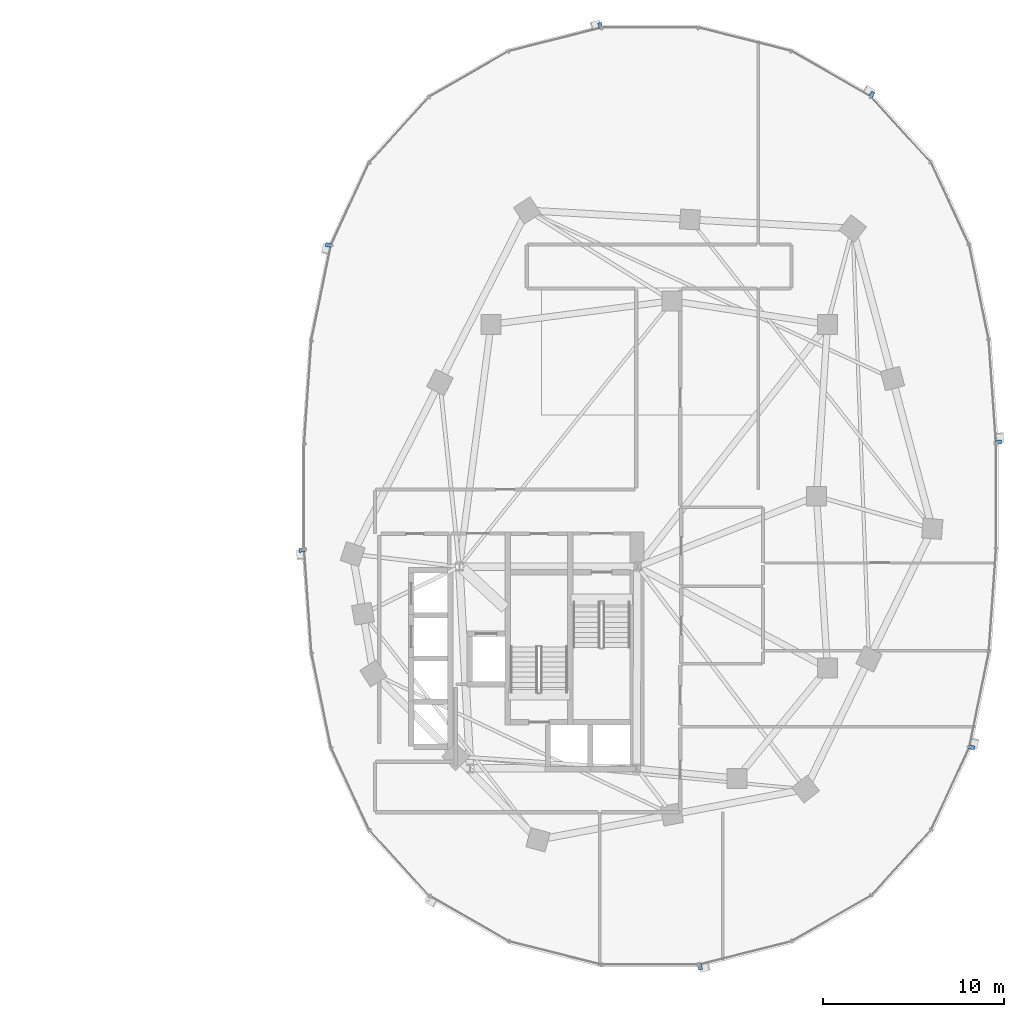
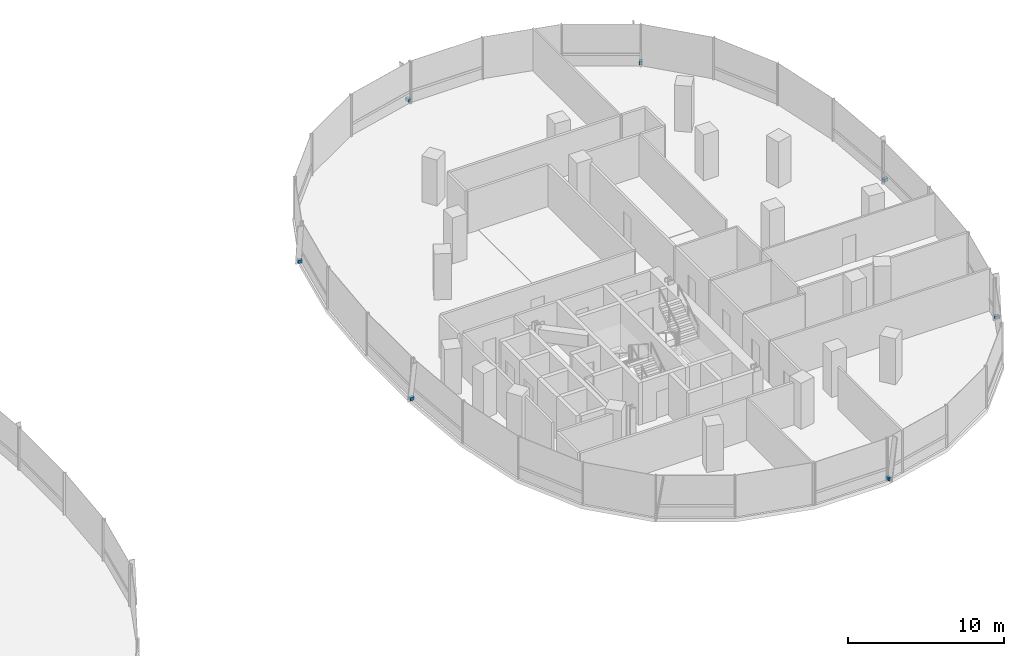
# One storey, part 16 of 21: 7 discrete accessories.
"""IFC4 building model written with IfcOpenShell, lengths in metres."""

import ifcopenshell
import ifcopenshell.guid

model = None  # the IFC model being written
_history = None  # IfcOwnerHistory: only IFC2X3 demands one
_inside = {}  # id of a spatial element -> (the spatial element, [elements in it])
_under = {}  # id of a project, library or spatial element -> (it, [spatial elements below it])
_declared = {}  # id of a project -> (the project, [libraries it declares])
_typed = {}  # id of a type object -> (the type object, [elements of that type])
_made_of = {}  # id of a material, layer set ... -> (it, [elements and type objects made of it])


def new_model(schema):
    """Start an empty IFC model of exactly this schema.

    Asked for "IFC4X3", IfcOpenShell would pick the latest addendum, in which some entities
    have other attributes; the version numbers below select the first issue.
    IFC2X3 requires an IfcOwnerHistory on every rooted entity: one is made here for all.
    """
    global model, _history
    if schema == "IFC4X3":
        model = ifcopenshell.file(schema_version=(4, 3, 0, 0))
    else:
        model = ifcopenshell.file(schema=schema)
    _inside.clear()
    _under.clear()
    _declared.clear()
    _typed.clear()
    _made_of.clear()
    _history = None
    if model.schema == "IFC2X3":
        org = make("IfcOrganization", Name="unknown")
        user = make(
            "IfcPersonAndOrganization",
            ThePerson=make("IfcPerson", FamilyName="unknown"),
            TheOrganization=org,
        )
        app = make(
            "IfcApplication",
            ApplicationDeveloper=org,
            Version="unknown",
            ApplicationFullName="unknown",
            ApplicationIdentifier="unknown",
        )
        _history = make(
            "IfcOwnerHistory",
            OwningUser=user,
            OwningApplication=app,
            ChangeAction="ADDED",
            CreationDate=0,
        )
    return model


def make(cls, **values):
    """One entity of the class cls with the attributes given. An attribute that is None is left unset."""
    return model.create_entity(
        cls, **{name: value for name, value in values.items() if value is not None}
    )


def rooted(cls, **values):
    """An entity with a GlobalId (a new one), such as an element, a storey or a relation."""
    return make(cls, GlobalId=ifcopenshell.guid.new(), OwnerHistory=_history, **values)


def si_unit(unit_type, name, prefix=None):
    """IfcSIUnit, for example si_unit("LENGTHUNIT", "METRE", prefix="MILLI")."""
    return make("IfcSIUnit", UnitType=unit_type, Prefix=prefix, Name=name)


def assignment(units):
    """IfcUnitAssignment: the units of a project."""
    return None if units is None else make("IfcUnitAssignment", Units=units)


def point(xyz):
    """IfcCartesianPoint."""
    return None if xyz is None else make("IfcCartesianPoint", Coordinates=xyz)


def direction(xyz):
    """IfcDirection."""
    return None if xyz is None else make("IfcDirection", DirectionRatios=xyz)


def frame(location, z_axis=None, x_axis=None):
    """IfcAxis2Placement3D, a coordinate frame: its origin and axes. An axis left out is left unset."""
    return make(
        "IfcAxis2Placement3D",
        Location=point(location),
        Axis=direction(z_axis),
        RefDirection=direction(x_axis),
    )


def frame_2d(location, x_axis=None):
    """IfcAxis2Placement2D, a coordinate frame in the plane: its origin and x axis."""
    return make(
        "IfcAxis2Placement2D", Location=point(location), RefDirection=direction(x_axis)
    )


def origin():
    """The frame at (0, 0, 0) with its axes left unset."""
    return frame((0.0, 0.0, 0.0))


def origin_2d():
    """The frame at (0, 0) in the plane with its x axis left unset."""
    return frame_2d((0.0, 0.0))


def place(relative_to, where):
    """IfcLocalPlacement: puts the frame where relative to a parent placement (None: the world)."""
    return make(
        "IfcLocalPlacement", PlacementRelTo=relative_to, RelativePlacement=where
    )


def context(
    kind, dimensions, precision=None, world=None, true_north=None, identifier=None
):
    """IfcGeometricRepresentationContext, for example the 3D "Model" context."""
    return make(
        "IfcGeometricRepresentationContext",
        ContextIdentifier=identifier,
        ContextType=kind,
        CoordinateSpaceDimension=dimensions,
        Precision=precision,
        WorldCoordinateSystem=world,
        TrueNorth=true_north,
    )


def subcontext(parent, identifier, kind, view, scale=None):
    """IfcGeometricRepresentationSubContext, for example "Body" below "Model"."""
    return make(
        "IfcGeometricRepresentationSubContext",
        ContextIdentifier=identifier,
        ContextType=kind,
        ParentContext=parent,
        TargetScale=scale,
        TargetView=view,
    )


def project(units=None, contexts=None):
    """IfcProject with its units and contexts."""
    return rooted(
        "IfcProject",
        Name="project",
        RepresentationContexts=contexts,
        UnitsInContext=assignment(units),
    )


def spatial(cls, under=None, at=None, **own):
    """A site, building, storey or space (cls), placed at a placement, below another one or the project."""
    s = rooted(cls, ObjectPlacement=at, **own)
    if under is not None:
        _under.setdefault(under.id(), (under, []))[1].append(s)
    return s


def profile(cls, at=None, kind="AREA", **sizes):
    """A parametric profile (cls). Its sizes go by their IFC names, for example OverallWidth=200.0."""
    return make(cls, ProfileType=kind, Position=at, **sizes)


def rectangle(**sizes):
    """IfcRectangleProfileDef."""
    return profile("IfcRectangleProfileDef", **sizes)


def extrude(swept, where, along, depth):
    """IfcExtrudedAreaSolid: the profile swept, set in the frame where, extruded along a direction by depth."""
    return make(
        "IfcExtrudedAreaSolid",
        SweptArea=swept,
        Position=where,
        ExtrudedDirection=direction(along),
        Depth=depth,
    )


def shape(context_of_items, identifier, shape_type, items):
    """IfcShapeRepresentation: the items that make up one representation, for example the "Body"."""
    return make(
        "IfcShapeRepresentation",
        ContextOfItems=context_of_items,
        RepresentationIdentifier=identifier,
        RepresentationType=shape_type,
        Items=items,
    )


def material(Name=None, Category=None):
    """IfcMaterial."""
    return make("IfcMaterial", Name=Name, Category=Category)


def made_of(thing, what):
    """Note that an element or type object is made of a material, layer set ...; save() writes the relation."""
    if what is not None:
        _made_of.setdefault(what.id(), (what, []))[1].append(thing)
    return thing


def type_object(cls, material=None, **own):
    """A type object (cls), such as IfcWallType, which elements share."""
    return made_of(rooted(cls, **own), material)


def element(
    cls,
    number,
    at=None,
    inside=None,
    cuts=None,
    type_object=None,
    material=None,
    context=None,
    identifier="Body",
    shape_type=None,
    held_by="IfcProductDefinitionShape",
    body=None,
    shapes=None,
    **own,
):
    """One element of the class cls, such as IfcWall. Its Tag is "e" and its number.

    at: its placement. inside: the storey or other place that contains it. cuts: it is an
    opening in that element (IfcRelVoidsElement). A single representation is given by context,
    identifier, shape_type and body (its items); several are given by shapes. held_by: the class
    of the entity that holds the representations. save() writes the other relations.
    """
    e = rooted(cls, Tag="e%d" % number, ObjectPlacement=at, **own)
    if body is not None:
        shapes = [shape(context, identifier, shape_type, body)]
    if shapes is not None:
        e.Representation = make(held_by, Representations=shapes)
    if inside is not None:
        _inside.setdefault(inside.id(), (inside, []))[1].append(e)
    if cuts is not None:
        rooted(
            "IfcRelVoidsElement", RelatingBuildingElement=cuts, RelatedOpeningElement=e
        )
    if type_object is not None:
        _typed.setdefault(type_object.id(), (type_object, []))[1].append(e)
    return made_of(e, material)


def aggregate(whole, parts):
    """IfcRelAggregates: a whole, such as a stair, and the parts it consists of."""
    return rooted("IfcRelAggregates", RelatingObject=whole, RelatedObjects=parts)


def save(model, path):
    """Write the relations noted so far, then the file.

    IfcRelAggregates (storeys below a building ...), IfcRelContainedInSpatialStructure (elements
    in a storey), IfcRelDefinesByType, IfcRelAssociatesMaterial and IfcRelDeclares: one each for
    every whole, place, type object, material and project.
    """
    for whole, parts in _under.values():
        aggregate(whole, parts)
    for where, things in _inside.values():
        rooted(
            "IfcRelContainedInSpatialStructure",
            RelatedElements=things,
            RelatingStructure=where,
        )
    for kind, things in _typed.values():
        rooted("IfcRelDefinesByType", RelatedObjects=things, RelatingType=kind)
    for what, things in _made_of.values():
        rooted("IfcRelAssociatesMaterial", RelatedObjects=things, RelatingMaterial=what)
    for by, libraries in _declared.values():
        rooted("IfcRelDeclares", RelatingContext=by, RelatedDefinitions=libraries)
    model.write(path)


model = new_model("IFC4")

# Units and contexts
model_context = context("Model", 3, precision=1e-05, world=origin(), true_north=direction((0.0, 1.0)))
body_context = subcontext(model_context, "Body", "Model", "MODEL_VIEW")
ifc_project = project(units=[si_unit("LENGTHUNIT", "METRE"), si_unit("AREAUNIT", "SQUARE_METRE"), si_unit("VOLUMEUNIT", "CUBIC_METRE"), si_unit("PLANEANGLEUNIT", "RADIAN"), si_unit("MASSUNIT", "GRAM", prefix="KILO"), si_unit("THERMODYNAMICTEMPERATUREUNIT", "KELVIN"), si_unit("POWERUNIT", "WATT")], contexts=[model_context])

# Site, building, storey
site_placement = place(None, origin())
site = spatial("IfcSite", under=ifc_project, at=site_placement, CompositionType="ELEMENT")
building_placement = place(site_placement, origin())
building = spatial("IfcBuilding", under=site, at=building_placement, Name="Cundina Bronze Exchange", CompositionType="ELEMENT")
storey_placement = place(building_placement, frame((0.0, 0.0, 81.800048828125)))
storey = spatial("IfcBuildingStorey", under=building, at=storey_placement, Name="L20", CompositionType="ELEMENT", Elevation=81.800048828125)

# Discrete accessories
ifc_material = material(Name="Anodised Bronze Aluminium 6063-T6", Category="aluminium")
discrete_accessory_type = type_object("IfcDiscreteAccessoryType", Name="ACC-BRK-FIN", PredefinedType="BRACKET", material=ifc_material)
for number, where, z_axis, x_axis, name in (
    (1, (51.264404296875, 2.986083984375, 0.10009765625), (0.0, 0.0, 1.0), (-0.070278787473, 0.997527389113, 0.0), "L20 Fin Support Bracket 1"),
    (2, (44.259521484375, 22.21875, 0.10009765625), (0.0, 0.0, 1.0), (-0.867105478933, 0.498124571171, 0.0), "L20 Fin Support Bracket 5"),
    (3, (29.23974609375, 26.03173828125, 0.10009765625), (0.0, 0.0, 1.0), (-0.969488149345, -0.245138182011, 0.0), "L20 Fin Support Bracket 1"),
    (4, (14.211669921875, 13.8896484375, 0.10009765625), (0.0, 0.0, 1.0), (-0.201419845156, -0.979505000486, 0.0), "L20 Fin Support Bracket 5"),
    (5, (12.735595703125, -2.986083984375, 0.10009765625), (0.0, 0.0, 1.0), (0.070278787473, -0.997527389113, 0.0), "L20 Fin Support Bracket 1"),
    (6, (34.76025390625, -26.03173828125, 0.10009765625), (0.0, 0.0, 1.0), (0.969488149345, 0.245138182011, 0.0), "L20 Fin Support Bracket 1"),
    (7, (49.788330078125, -13.8896484375, 0.10009765625), (0.0, 0.0, 1.0), (0.201419845156, 0.979505000486, 0.0), "L20 Fin Support Bracket 5"),
):
    element("IfcDiscreteAccessory", number, at=place(storey_placement, frame(where, z_axis=z_axis, x_axis=x_axis)), inside=storey, type_object=discrete_accessory_type, Name=name, PredefinedType="BRACKET", context=body_context, shape_type="SweptSolid", body=[
        extrude(rectangle(XDim=0.219970703125, YDim=0.320068359375, at=origin_2d()), origin(), (0.0, 0.0, 1.0), 0.239990234375),
    ])

save(model, "model.ifc")
